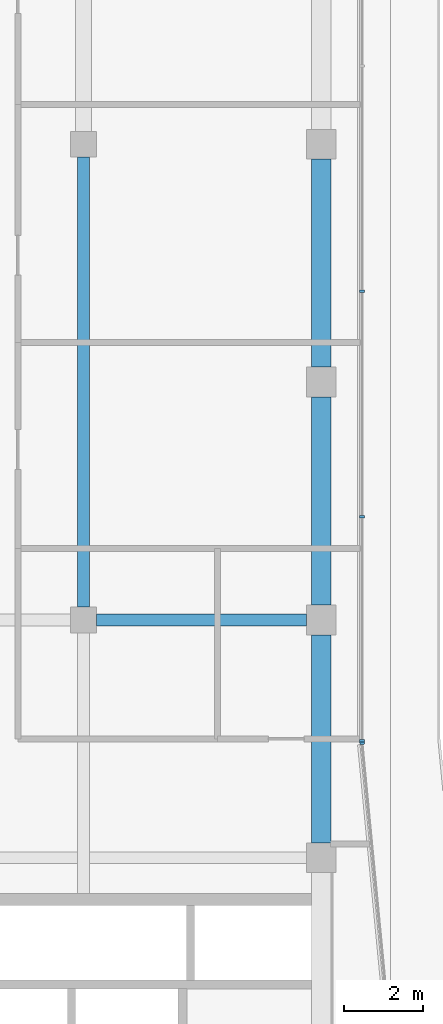
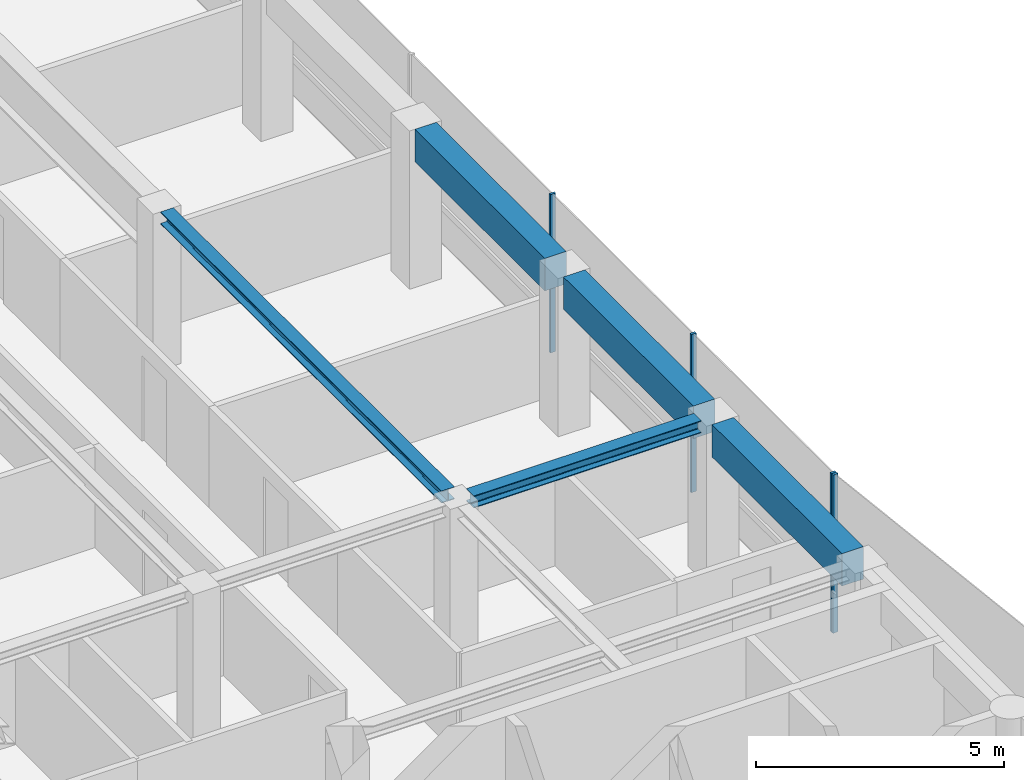
# One storey, part 8 of 22: 5 beams, 4 members, 2 elements without a shape of their own.
"""IFC4 building model written with IfcOpenShell, lengths in metres."""

from ifc_helpers import new_model, si_unit, direction, frame, origin, origin_2d, place, context, subcontext, project, spatial, rectangle, i_section, extrude, material, layer, layer_set, material_profile, profile_set, type_object, element, aggregate, save


model = new_model("IFC4")

# Units and contexts
model_context = context("Model", 3, precision=1e-05, world=origin(), true_north=direction((0.0, 1.0)))
body_context = subcontext(model_context, "Body", "Model", "MODEL_VIEW")
ifc_project = project(units=[si_unit("LENGTHUNIT", "METRE"), si_unit("AREAUNIT", "SQUARE_METRE"), si_unit("VOLUMEUNIT", "CUBIC_METRE"), si_unit("PLANEANGLEUNIT", "RADIAN"), si_unit("MASSUNIT", "GRAM", prefix="KILO")], contexts=[model_context])

# Site, building, storey
site_placement = place(None, origin())
site = spatial("IfcSite", under=ifc_project, at=site_placement, CompositionType="ELEMENT")
building_placement = place(site_placement, origin())
building = spatial("IfcBuilding", under=site, at=building_placement, Name="Welwitschia Terrace Campus", CompositionType="ELEMENT")
storey_placement = place(building_placement, frame((0.0, 0.0, 310.39990234375)))
storey = spatial("IfcBuildingStorey", under=building, at=storey_placement, Name="L69", CompositionType="ELEMENT", Elevation=310.39990234375)

# Beams
ifc_material_1 = material(Name="Steel S355", Category="steel")
ifc_material_profile_1 = material_profile(ifc_material_1, i_section(OverallWidth=0.300048828125, OverallDepth=0.300048828125, WebThickness=0.010986328125, FlangeThickness=0.01904296875, FilletRadius=0.027099609375, at=origin_2d()))
ifc_profile_set_1 = profile_set([ifc_material_profile_1], Name="Steel S355")
beam_type_1 = type_object("IfcBeamType", Name="Interior girder HE 300 B", PredefinedType="BEAM", material=ifc_profile_set_1)
beam_1_placement = place(storey_placement, frame((18.325439453125, 32.0, 3.75), z_axis=(1.0, 0.0, 0.0), x_axis=(0.0, 1.0, 0.0)))
element("IfcBeam", 1, at=beam_1_placement, inside=storey, type_object=beam_type_1, Name="Girder GB6", PredefinedType="BEAM", context=body_context, shape_type="SweptSolid", body=[
    extrude(i_section(OverallWidth=0.300048828125, OverallDepth=0.300048828125, WebThickness=0.010986328125, FlangeThickness=0.01904296875, FilletRadius=0.027099609375, at=origin_2d()), origin(), (0.0, 0.0, 1.0), 5.30908203125),
])
beam_2_placement = place(storey_placement, frame((18.0, 32.325439453125, 3.75), z_axis=(0.0, 1.0, 0.0), x_axis=(-1.0, 0.0, 0.0)))
element("IfcBeam", 2, at=beam_2_placement, inside=storey, type_object=beam_type_1, Name="Girder GB6", PredefinedType="BEAM", context=body_context, shape_type="SweptSolid", body=[
    extrude(i_section(OverallWidth=0.300048828125, OverallDepth=0.300048828125, WebThickness=0.010986328125, FlangeThickness=0.01904296875, FilletRadius=0.027099609375, at=origin_2d()), origin(), (0.0, 0.0, 1.0), 11.34912109375),
])

# Curtain wall, member
ifc_material_2 = material(Name="Bronze anodised aluminium", Category="aluminium")
ifc_layer = layer(ifc_material_2, 0.1201171875)
ifc_layer_set = layer_set([ifc_layer], Name="Bronze anodised aluminium")
curtain_wall_type = type_object("IfcCurtainWallType", Name="Curtain wall CW2 tower 6000", PredefinedType="NOTDEFINED", material=ifc_layer_set)
curtain_wall_1_placement = place(storey_placement, origin())
curtain_wall_1 = element("IfcCurtainWall", 3, at=curtain_wall_1_placement, inside=storey, type_object=curtain_wall_type, Name="CW L69.6.0", PredefinedType="NOTDEFINED")
ifc_material_3 = material(Name="Bronze anodised aluminium", Category="aluminium")
ifc_material_profile_2 = material_profile(ifc_material_3, rectangle(XDim=0.1201171875, YDim=0.06005859375, at=origin_2d()))
ifc_profile_set_2 = profile_set([ifc_material_profile_2], Name="Bronze anodised aluminium")
member_type = type_object("IfcMemberType", Name="Mullion 60x120", PredefinedType="MULLION", material=ifc_profile_set_2)
member_1_placement = place(storey_placement, frame((25.032958984375, 28.889404296875, 0.0), z_axis=(0.0, 0.0, 1.0), x_axis=(-0.995396198367, -0.09584575252, 0.0)))
member_1 = element("IfcMember", 4, at=member_1_placement, type_object=member_type, Name="Mullion L69.6.0.1", PredefinedType="MULLION", context=body_context, shape_type="SweptSolid", body=[
    extrude(rectangle(XDim=0.1201171875, YDim=0.06005859375, at=origin_2d()), origin(), (0.0, 0.0, 1.0), 3.900146484375),
])
aggregate(curtain_wall_1, [member_1])

# Curtain wall, members
curtain_wall_2_placement = place(storey_placement, origin())
curtain_wall_2 = element("IfcCurtainWall", 5, at=curtain_wall_2_placement, inside=storey, type_object=curtain_wall_type, Name="CW L69.7.0", PredefinedType="NOTDEFINED")
member_2_placement = place(storey_placement, frame((25.030029296875, 28.94921875, 0.0), z_axis=(0.0, 0.0, 1.0), x_axis=(-1.0, 0.0, 0.0)))
member_2 = element("IfcMember", 6, at=member_2_placement, type_object=member_type, Name="Mullion L69.7.0.0", PredefinedType="MULLION", context=body_context, shape_type="SweptSolid", body=[
    extrude(rectangle(XDim=0.1201171875, YDim=0.06005859375, at=origin_2d()), origin(), (0.0, 0.0, 1.0), 3.900146484375),
])
member_3_placement = place(storey_placement, frame((25.030029296875, 34.604248046875, 0.0), z_axis=(0.0, 0.0, 1.0), x_axis=(-1.0, 0.0, 0.0)))
member_3 = element("IfcMember", 7, at=member_3_placement, type_object=member_type, Name="Mullion L69.7.0.1", PredefinedType="MULLION", context=body_context, shape_type="SweptSolid", body=[
    extrude(rectangle(XDim=0.1201171875, YDim=0.06005859375, at=origin_2d()), origin(), (0.0, 0.0, 1.0), 3.900146484375),
])
member_4_placement = place(storey_placement, frame((25.030029296875, 40.28955078125, 0.0), z_axis=(0.0, 0.0, 1.0), x_axis=(-1.0, 0.0, 0.0)))
member_4 = element("IfcMember", 8, at=member_4_placement, type_object=member_type, Name="Mullion L69.7.0.2", PredefinedType="MULLION", context=body_context, shape_type="SweptSolid", body=[
    extrude(rectangle(XDim=0.1201171875, YDim=0.06005859375, at=origin_2d()), origin(), (0.0, 0.0, 1.0), 3.900146484375),
])
aggregate(curtain_wall_2, [member_2, member_3, member_4])

# Beams
ifc_material_4 = material(Name="Concrete C50/60", Category="concrete")
ifc_material_profile_3 = material_profile(ifc_material_4, rectangle(XDim=0.5, YDim=0.800048828125, at=origin_2d()))
ifc_profile_set_3 = profile_set([ifc_material_profile_3], Name="Concrete C50/60")
beam_type_2 = type_object("IfcBeamType", Name="Ring spandrel 500x800", PredefinedType="SPANDREL", material=ifc_profile_set_3)
for number, where, z_axis, x_axis, name in (
    (9, (24.0, 26.37548828125, 3.5), (0.0, 1.0, 0.0), (-1.0, 0.0, 0.0), "Spandrel SP4"),
    (10, (24.0, 32.37548828125, 3.5), (0.0, 1.0, 0.0), (-1.0, 0.0, 0.0), "Spandrel SP4"),
    (11, (24.0, 38.37548828125, 3.5), (0.0, 1.0, 0.0), (-1.0, 0.0, 0.0), "Spandrel SP4"),
):
    element("IfcBeam", number, at=place(storey_placement, frame(where, z_axis=z_axis, x_axis=x_axis)), inside=storey, type_object=beam_type_2, Name=name, PredefinedType="SPANDREL", context=body_context, shape_type="SweptSolid", body=[
        extrude(rectangle(XDim=0.5, YDim=0.800048828125, at=origin_2d()), origin(), (0.0, 0.0, 1.0), 5.2490234375),
    ])

save(model, "model.ifc")
